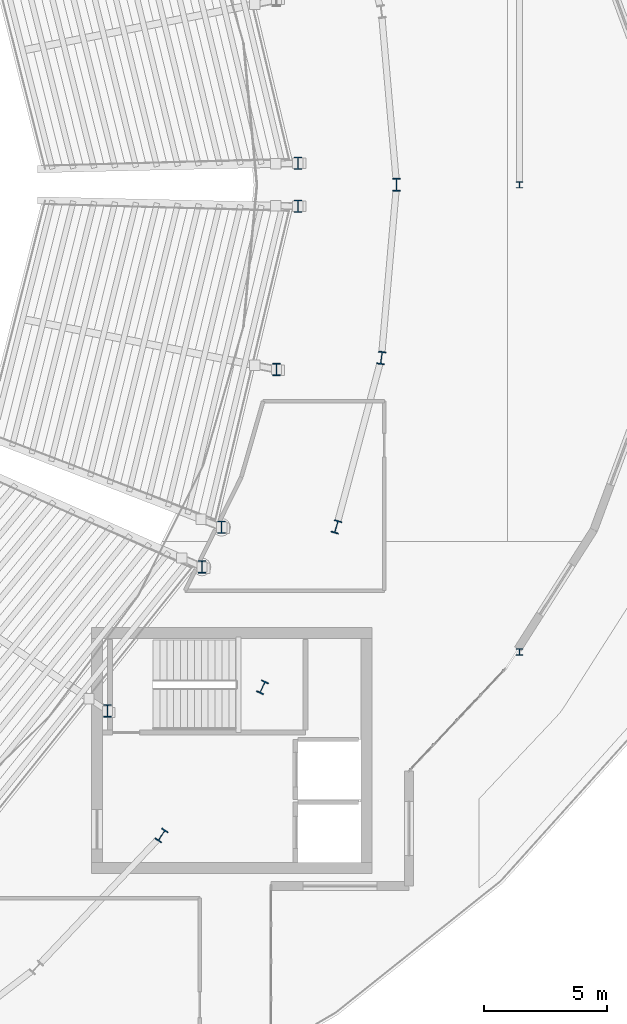
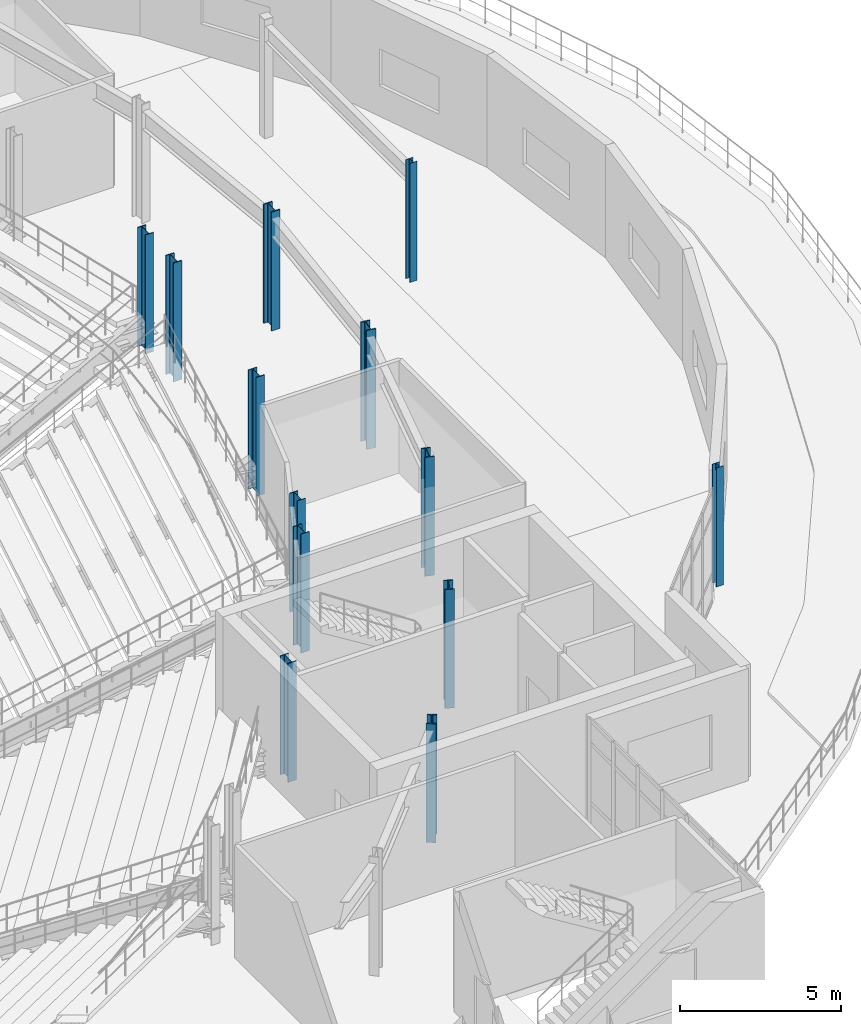
# One storey, part 14 of 81: 13 columns.
"""IFC4 building model written with IfcOpenShell, lengths in metres."""

from ifc_helpers import new_model, si_unit, direction, frame, origin, origin_2d, place, context, subcontext, project, spatial, i_section, extrude, material, material_profile, profile_set, type_object, element, save


model = new_model("IFC4")

# Units and contexts
model_context = context("Model", 3, precision=1e-05, world=origin(), true_north=direction((0.0, 1.0)))
body_context = subcontext(model_context, "Body", "Model", "MODEL_VIEW")
ifc_project = project(units=[si_unit("LENGTHUNIT", "METRE"), si_unit("AREAUNIT", "SQUARE_METRE"), si_unit("VOLUMEUNIT", "CUBIC_METRE"), si_unit("PLANEANGLEUNIT", "RADIAN"), si_unit("MASSUNIT", "GRAM", prefix="KILO")], contexts=[model_context])

# Site, building, storey
site_placement = place(None, origin())
site = spatial("IfcSite", under=ifc_project, at=site_placement, CompositionType="ELEMENT")
building_placement = place(site_placement, origin())
building = spatial("IfcBuilding", under=site, at=building_placement, Name="Glasvene Arena", CompositionType="ELEMENT")
storey_placement = place(building_placement, frame((0.0, 0.0, 15.0)))
storey = spatial("IfcBuildingStorey", under=building, at=storey_placement, Name="L03", CompositionType="ELEMENT", Elevation=15.0)

# Columns
ifc_material = material(Name="Steel S355J2", Category="steel")
ifc_material_profile_1 = material_profile(ifc_material, i_section(OverallWidth=0.305908203125, OverallDepth=0.52392578125, WebThickness=0.02099609375, FlangeThickness=0.0400390625, FilletRadius=0.027099609375, at=origin_2d()), Name="HEM 500")
ifc_profile_set_1 = profile_set([ifc_material_profile_1], Name="Steel S355J2")
column_type_1 = type_object("IfcColumnType", Name="COL-RING-HEM500", PredefinedType="COLUMN", material=ifc_profile_set_1)
for number, where, z_axis, x_axis, name in (
    (1, (142.0, 73.0, 0.0), (0.0, 0.0, 1.0), (1.0, 0.0, 0.0), "Bowl ring column R01 L03"),
    (2, (132.45068359375, 46.5498046875, 0.0), (0.0, 0.0, 1.0), (0.836955398099, -0.547271104292, 0.0), "Bowl ring column R37 L03"),
    (3, (136.55029296875, 52.5703125, 0.0), (0.0, 0.0, 1.0), (0.909018020308, -0.416756810089, 0.0), "Bowl ring column R38 L03"),
    (4, (139.552734375, 59.09423828125, 0.0), (0.0, 0.0, 1.0), (0.959805291975, -0.280666708921, 0.0), "Bowl ring column R39 L03"),
    (5, (141.384521484375, 65.96044921875, 0.0), (0.0, 0.0, 1.0), (0.989999050734, -0.141074021516, 0.0), "Bowl ring column R40 L03"),
):
    element("IfcColumn", number, at=place(storey_placement, frame(where, z_axis=z_axis, x_axis=x_axis)), inside=storey, type_object=column_type_1, Name=name, PredefinedType="COLUMN", context=body_context, shape_type="SweptSolid", body=[
        extrude(i_section(OverallWidth=0.305908203125, OverallDepth=0.52392578125, WebThickness=0.02099609375, FlangeThickness=0.0400390625, FilletRadius=0.027099609375, at=origin_2d()), origin(), (0.0, 0.0, 1.0), 4.5),
    ])
ifc_material_profile_2 = material_profile(ifc_material, i_section(OverallWidth=0.300048828125, OverallDepth=0.5, WebThickness=0.014404296875, FlangeThickness=0.028076171875, FilletRadius=0.027099609375, at=origin_2d()), Name="HEB 500")
ifc_profile_set_2 = profile_set([ifc_material_profile_2], Name="Steel S355J2")
column_type_2 = type_object("IfcColumnType", Name="COL-W-HEB500", PredefinedType="COLUMN", material=ifc_profile_set_2)
for number, where, z_axis, x_axis, name in (
    (6, (137.98828125, 73.87353515625, 0.0), (0.0, 0.0, 1.0), (1.0, 0.0, 0.0), "Upper raker rear column L03 01-1"),
    (7, (134.088134765625, 57.46337890625, 0.0), (0.0, 0.0, 1.0), (1.0, 0.0, 0.0), "Upper raker rear column L03 15-2"),
    (8, (134.886962890625, 59.077392578125, 0.0), (0.0, 0.0, 1.0), (1.0, 0.0, 0.0), "Upper raker rear column L03 16-1"),
    (9, (137.98828125, 72.12646484375, 0.0), (0.0, 0.0, 1.0), (1.0, 0.0, 0.0), "Upper raker rear column L03 16-2"),
    (10, (130.24755859375, 51.610595703125, 0.0), (0.0, 0.0, 1.0), (1.0, 0.0, 0.0), "Mid-sector rear raker column L03 15"),
    (11, (137.1162109375, 65.489013671875, 0.0), (0.0, 0.0, 1.0), (1.0, 0.0, 0.0), "Mid-sector rear raker column L03 16"),
):
    element("IfcColumn", number, at=place(storey_placement, frame(where, z_axis=z_axis, x_axis=x_axis)), inside=storey, type_object=column_type_2, Name=name, PredefinedType="COLUMN", context=body_context, shape_type="SweptSolid", body=[
        extrude(i_section(OverallWidth=0.300048828125, OverallDepth=0.5, WebThickness=0.014404296875, FlangeThickness=0.028076171875, FilletRadius=0.027099609375, at=origin_2d()), origin(), (0.0, 0.0, 1.0), 4.5),
    ])
ifc_material_profile_3 = material_profile(ifc_material, i_section(OverallWidth=0.25634765625, OverallDepth=0.26025390625, WebThickness=0.01025390625, FlangeThickness=0.017333984375, FilletRadius=0.0126953125, at=origin_2d()), Name="UKC 254x254x89")
ifc_profile_set_3 = profile_set([ifc_material_profile_3], Name="Steel S355J2")
column_type_3 = type_object("IfcColumnType", Name="COL-W-UKC89", PredefinedType="COLUMN", material=ifc_profile_set_3)
for number, where, z_axis, x_axis, name in (
    (12, (147.0, 54.0, 0.0), (0.0, 0.0, 1.0), (1.0, 0.0, 0.0), "Grid column 17-7 L03"),
    (13, (147.0, 73.0, 0.0), (0.0, 0.0, 1.0), (1.0, 0.0, 0.0), "Grid column 17-9 L03"),
):
    element("IfcColumn", number, at=place(storey_placement, frame(where, z_axis=z_axis, x_axis=x_axis)), inside=storey, type_object=column_type_3, Name=name, PredefinedType="COLUMN", context=body_context, shape_type="SweptSolid", body=[
        extrude(i_section(OverallWidth=0.25634765625, OverallDepth=0.26025390625, WebThickness=0.01025390625, FlangeThickness=0.017333984375, FilletRadius=0.0126953125, at=origin_2d()), origin(), (0.0, 0.0, 1.0), 4.5),
    ])

save(model, "model.ifc")
